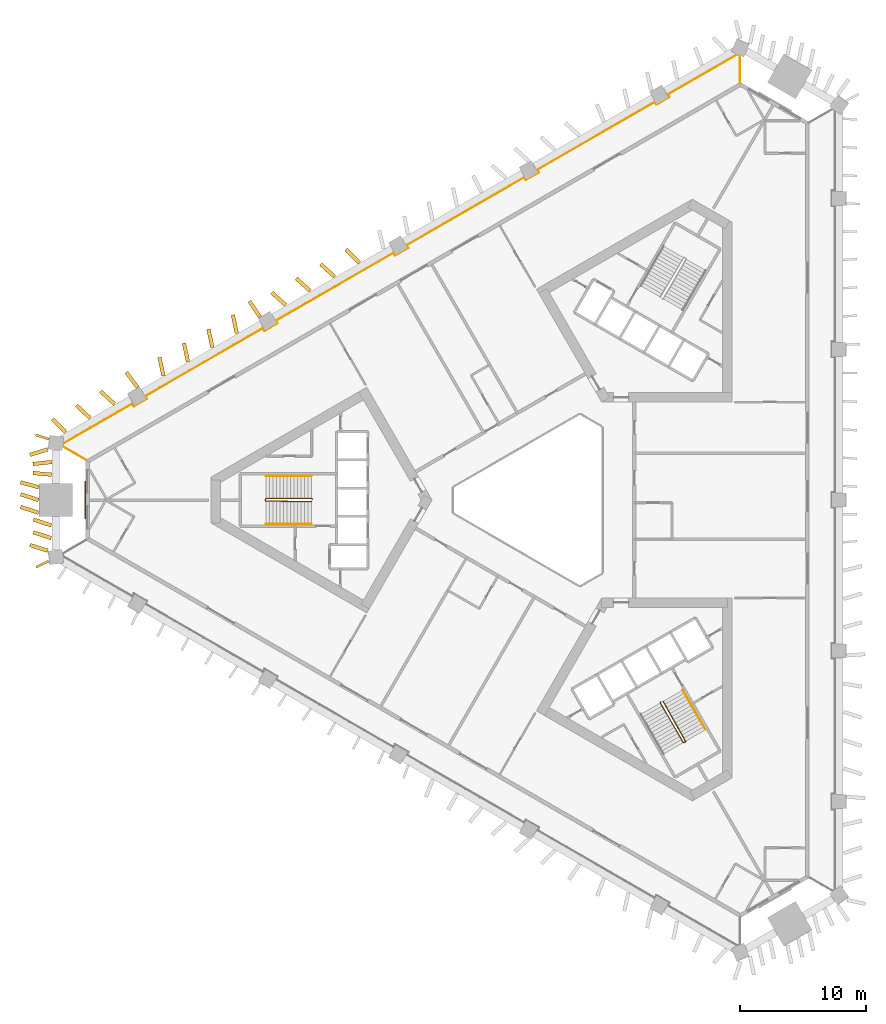
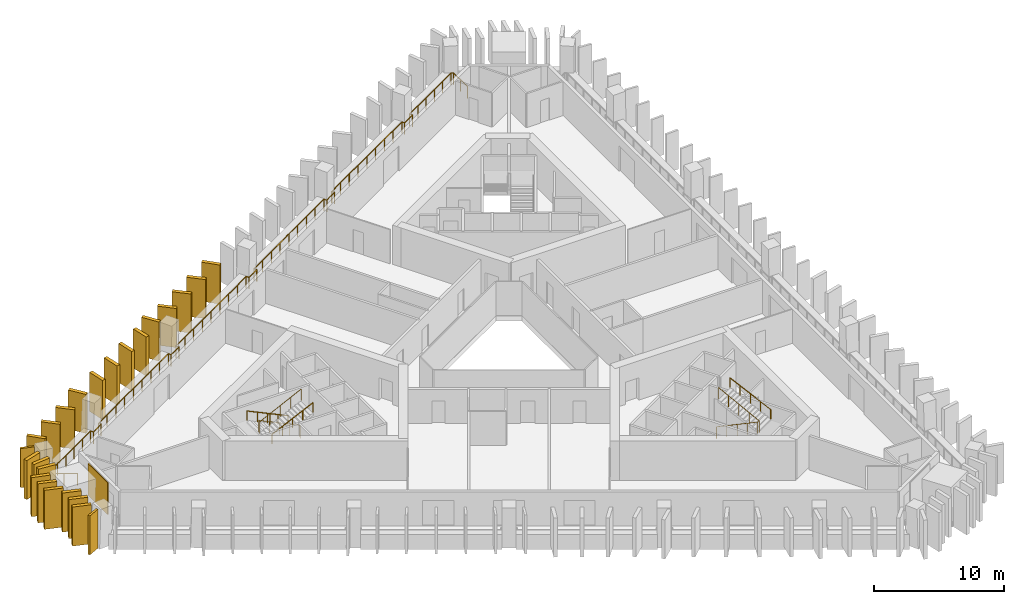
# One storey, part 9 of 11: 24 shading devices, 6 railings, 1 covering.
"""IFC4 building model written with IfcOpenShell, lengths in metres."""

from ifc_helpers import new_model, si_unit, direction, frame, frame_2d, origin, origin_2d, place, context, subcontext, project, spatial, rectangle, circle, extrude, material, layer, layer_set, type_object, element, save


model = new_model("IFC4")

# Units and contexts
model_context = context("Model", 3, precision=1e-05, world=origin(), true_north=direction((0.0, 1.0)))
body_context = subcontext(model_context, "Body", "Model", "MODEL_VIEW")
ifc_project = project(units=[si_unit("LENGTHUNIT", "METRE"), si_unit("AREAUNIT", "SQUARE_METRE"), si_unit("VOLUMEUNIT", "CUBIC_METRE"), si_unit("PLANEANGLEUNIT", "RADIAN"), si_unit("MASSUNIT", "GRAM", prefix="KILO")], contexts=[model_context])

# Site, building, storey
site_placement = place(None, origin())
site = spatial("IfcSite", under=ifc_project, at=site_placement, CompositionType="ELEMENT")
building_placement = place(site_placement, origin())
building = spatial("IfcBuilding", under=site, at=building_placement, Name="Jabali Bay Hotel Tower and Convention Centre", CompositionType="ELEMENT")
storey_placement = place(building_placement, frame((0.0, 0.0, 61.0)))
storey = spatial("IfcBuildingStorey", under=building, at=storey_placement, Name="L13", CompositionType="ELEMENT", Elevation=61.0)

# Railing
ifc_material_1 = material(Name="Glass", Category="glass")
railing_type_1 = type_object("IfcRailingType", Name="Loggia glass guard 1100", PredefinedType="BALUSTRADE", material=ifc_material_1)
railing_1_placement = place(storey_placement, frame((38.421142578125, 83.215576171875, 0.0)))
element("IfcRailing", 1, at=railing_1_placement, inside=storey, type_object=railing_type_1, Name="Loggia glass guard L13", PredefinedType="BALUSTRADE", context=body_context, shape_type="SweptSolid", body=[
    extrude(circle(Radius=0.02490234375, at=origin_2d()), frame((0.0, 0.0, 1.0751953125), z_axis=(-0.866027613664, 0.499996172356, 0.0), x_axis=(-0.495718635789, -0.858618627375, 0.13052619222)), (0.0, 0.0, 1.0), 2.1103515625),
    extrude(circle(Radius=0.02490234375, at=origin_2d()), frame((-1.82763671875, 1.05517578125, 1.0751953125), z_axis=(0.115918072513, 0.993258778197, 0.0), x_axis=(-0.984761311658, 0.114926377333, 0.13052619222)), (0.0, 0.0, 1.0), 0.21484375),
    extrude(circle(Radius=0.02490234375, at=origin_2d()), frame((-1.802734375, 1.2685546875, 1.0751953125), z_axis=(0.866027511822, 0.499996348755, 0.0), x_axis=(-0.495718810679, 0.858618526404, 0.13052619222)), (0.0, 0.0, 1.0), 6.37841796875),
    extrude(circle(Radius=0.02490234375, at=origin_2d()), frame((3.72119140625, 4.457763671875, 1.0751953125), z_axis=(0.499919672301, -0.866071776036, 0.0), x_axis=(0.858662411932, 0.495642790202, 0.13052619222)), (0.0, 0.0, 1.0), 0.25),
    extrude(circle(Radius=0.02490234375, at=origin_2d()), frame((3.84619140625, 4.2412109375, 1.0751953125), z_axis=(0.866006032174, 0.500033551112, 0.0), x_axis=(-0.495755694765, 0.858597230518, 0.13052619222)), (0.0, 0.0, 1.0), 1.2001953125),
    extrude(circle(Radius=0.02490234375, at=origin_2d()), frame((4.885498046875, 4.84130859375, 1.0751953125), z_axis=(-0.499919672301, 0.866071776036, 0.0), x_axis=(-0.858662411932, -0.495642790202, 0.13052619222)), (0.0, 0.0, 1.0), 0.25),
    extrude(circle(Radius=0.02490234375, at=origin_2d()), frame((4.760498046875, 5.057861328125, 1.0751953125), z_axis=(0.86602874244, 0.499994217234, 0.0), x_axis=(-0.495716697393, 0.858619746494, 0.13052619222)), (0.0, 0.0, 1.0), 10.809326171875),
    extrude(circle(Radius=0.02490234375, at=origin_2d()), frame((14.12158203125, 10.46240234375, 1.0751953125), z_axis=(0.500342721131, -0.865827443207, 0.0), x_axis=(0.858420169404, 0.496062219791, 0.13052619222)), (0.0, 0.0, 1.0), 0.249755859375),
    extrude(circle(Radius=0.02490234375, at=origin_2d()), frame((14.24658203125, 10.24609375, 1.0751953125), z_axis=(0.866094119867, 0.499880961361, 0.0), x_axis=(-0.49560441044, 0.858684564609, 0.13052619222)), (0.0, 0.0, 1.0), 1.199951171875),
    extrude(circle(Radius=0.02490234375, at=origin_2d()), frame((15.285888671875, 10.845947265625, 1.0751953125), z_axis=(-0.499919672301, 0.866071776036, 0.0), x_axis=(-0.858662411932, -0.495642790202, 0.13052619222)), (0.0, 0.0, 1.0), 0.25),
    extrude(circle(Radius=0.02490234375, at=origin_2d()), frame((15.160888671875, 11.0625, 1.0751953125), z_axis=(0.866024608893, 0.500001376791, 0.0), x_axis=(-0.495723795699, 0.85861564831, 0.13052619222)), (0.0, 0.0, 1.0), 10.8095703125),
    extrude(circle(Radius=0.02490234375, at=origin_2d()), frame((24.522216796875, 16.46728515625, 1.0751953125), z_axis=(0.499919672301, -0.866071776036, 0.0), x_axis=(0.858662411932, 0.495642790202, 0.13052619222)), (0.0, 0.0, 1.0), 0.25),
    extrude(circle(Radius=0.02490234375, at=origin_2d()), frame((24.647216796875, 16.250732421875, 1.0751953125), z_axis=(0.866006032174, 0.500033551112, 0.0), x_axis=(-0.495755694765, 0.858597230518, 0.13052619222)), (0.0, 0.0, 1.0), 1.2001953125),
    extrude(circle(Radius=0.02490234375, at=origin_2d()), frame((25.6865234375, 16.850830078125, 1.0751953125), z_axis=(-0.500342721131, 0.865827443207, 0.0), x_axis=(-0.858420169404, -0.496062219791, 0.13052619222)), (0.0, 0.0, 1.0), 0.249755859375),
    extrude(circle(Radius=0.02490234375, at=origin_2d()), frame((25.5615234375, 17.067138671875, 1.0751953125), z_axis=(0.86601896228, 0.500011156846, 0.0), x_axis=(-0.495733492085, 0.858610050005, 0.13052619222)), (0.0, 0.0, 1.0), 10.809326171875),
    extrude(circle(Radius=0.02490234375, at=origin_2d()), frame((34.922607421875, 22.471923828125, 1.0751953125), z_axis=(0.499919672301, -0.866071776036, 0.0), x_axis=(0.858662411932, 0.495642790202, 0.13052619222)), (0.0, 0.0, 1.0), 0.25),
    extrude(circle(Radius=0.02490234375, at=origin_2d()), frame((35.047607421875, 22.25537109375, 1.0751953125), z_axis=(0.866006032174, 0.500033551112, 0.0), x_axis=(-0.495755694765, 0.858597230518, 0.13052619222)), (0.0, 0.0, 1.0), 1.2001953125),
    extrude(circle(Radius=0.02490234375, at=origin_2d()), frame((36.0869140625, 22.85546875, 1.0751953125), z_axis=(-0.499919672301, 0.866071776036, 0.0), x_axis=(-0.858662411932, -0.495642790202, 0.13052619222)), (0.0, 0.0, 1.0), 0.25),
    extrude(circle(Radius=0.02490234375, at=origin_2d()), frame((35.9619140625, 23.072021484375, 1.0751953125), z_axis=(0.866034388734, 0.499984437289, 0.0), x_axis=(-0.495707001117, 0.858625344483, 0.13052619222)), (0.0, 0.0, 1.0), 10.809326171875),
    extrude(circle(Radius=0.02490234375, at=origin_2d()), frame((45.3232421875, 28.4765625, 1.0751953125), z_axis=(0.500342721131, -0.865827443207, 0.0), x_axis=(0.858420169404, 0.496062219791, 0.13052619222)), (0.0, 0.0, 1.0), 0.249755859375),
    extrude(circle(Radius=0.02490234375, at=origin_2d()), frame((45.4482421875, 28.26025390625, 1.0751953125), z_axis=(0.866043267704, 0.499969057507, 0.0), x_axis=(-0.495691752911, 0.858634147493, 0.13052619222)), (0.0, 0.0, 1.0), 1.19970703125),
    extrude(circle(Radius=0.02490234375, at=origin_2d()), frame((46.4873046875, 28.860107421875, 1.0751953125), z_axis=(-0.499919672301, 0.866071776036, 0.0), x_axis=(-0.858662411932, -0.495642790202, 0.13052619222)), (0.0, 0.0, 1.0), 0.25),
    extrude(circle(Radius=0.02490234375, at=origin_2d()), frame((46.3623046875, 29.07666015625, 1.0751953125), z_axis=(0.866037080148, 0.4999797754, 0.0), x_axis=(-0.495702379111, 0.858628012872, 0.13052619222)), (0.0, 0.0, 1.0), 6.378662109375),
    extrude(circle(Radius=0.02490234375, at=origin_2d()), frame((51.886474609375, 32.265869140625, 1.0751953125), z_axis=(0.918259892691, -0.395978243688, 0.0), x_axis=(0.392590594921, 0.910404052014, 0.13052619222)), (0.0, 0.0, 1.0), 0.214599609375),
    extrude(circle(Radius=0.02490234375, at=origin_2d()), frame((52.08349609375, 32.180908203125, 1.0751953125), z_axis=(0.0, -1.0, 0.0), x_axis=(0.991444861374, 0.0, 0.13052619222)), (0.0, 0.0, 1.0), 2.110595703125),
    extrude(circle(Radius=0.02001953125, at=origin_2d()), origin(), (0.0, 0.0, 1.0), 1.050048828125),
    extrude(circle(Radius=0.02001953125, at=origin_2d()), frame((-0.913818359375, 0.527587890625, 0.0)), (0.0, 0.0, 1.0), 1.050048828125),
    extrude(circle(Radius=0.02001953125, at=origin_2d()), frame((-1.82763671875, 1.05517578125, 0.0)), (0.0, 0.0, 1.0), 1.050048828125),
    extrude(circle(Radius=0.02001953125, at=origin_2d()), frame((-1.802734375, 1.2685546875, 0.0)), (0.0, 0.0, 1.0), 1.050048828125),
    extrude(circle(Radius=0.02001953125, at=origin_2d()), frame((-0.697998046875, 1.906494140625, 0.0)), (0.0, 0.0, 1.0), 1.050048828125),
    extrude(circle(Radius=0.02001953125, at=origin_2d()), frame((0.40673828125, 2.544189453125, 0.0)), (0.0, 0.0, 1.0), 1.050048828125),
    extrude(circle(Radius=0.02001953125, at=origin_2d()), frame((1.51171875, 3.18212890625, 0.0)), (0.0, 0.0, 1.0), 1.050048828125),
    extrude(circle(Radius=0.02001953125, at=origin_2d()), frame((2.616455078125, 3.81982421875, 0.0)), (0.0, 0.0, 1.0), 1.050048828125),
    extrude(circle(Radius=0.02001953125, at=origin_2d()), frame((3.72119140625, 4.457763671875, 0.0)), (0.0, 0.0, 1.0), 1.050048828125),
    extrude(circle(Radius=0.02001953125, at=origin_2d()), frame((3.84619140625, 4.2412109375, 0.0)), (0.0, 0.0, 1.0), 1.050048828125),
    extrude(circle(Radius=0.02001953125, at=origin_2d()), frame((4.885498046875, 4.84130859375, 0.0)), (0.0, 0.0, 1.0), 1.050048828125),
    extrude(circle(Radius=0.02001953125, at=origin_2d()), frame((4.760498046875, 5.057861328125, 0.0)), (0.0, 0.0, 1.0), 1.050048828125),
    extrude(circle(Radius=0.02001953125, at=origin_2d()), frame((5.9306640625, 5.7333984375, 0.0)), (0.0, 0.0, 1.0), 1.050048828125),
    extrude(circle(Radius=0.02001953125, at=origin_2d()), frame((7.100830078125, 6.408935546875, 0.0)), (0.0, 0.0, 1.0), 1.050048828125),
    extrude(circle(Radius=0.02001953125, at=origin_2d()), frame((8.27099609375, 7.08447265625, 0.0)), (0.0, 0.0, 1.0), 1.050048828125),
    extrude(circle(Radius=0.02001953125, at=origin_2d()), frame((9.44091796875, 7.76025390625, 0.0)), (0.0, 0.0, 1.0), 1.050048828125),
    extrude(circle(Radius=0.02001953125, at=origin_2d()), frame((10.611083984375, 8.435791015625, 0.0)), (0.0, 0.0, 1.0), 1.050048828125),
    extrude(circle(Radius=0.02001953125, at=origin_2d()), frame((11.78125, 9.111328125, 0.0)), (0.0, 0.0, 1.0), 1.050048828125),
    extrude(circle(Radius=0.02001953125, at=origin_2d()), frame((12.951416015625, 9.786865234375, 0.0)), (0.0, 0.0, 1.0), 1.050048828125),
    extrude(circle(Radius=0.02001953125, at=origin_2d()), frame((14.12158203125, 10.46240234375, 0.0)), (0.0, 0.0, 1.0), 1.050048828125),
    extrude(circle(Radius=0.02001953125, at=origin_2d()), frame((14.24658203125, 10.24609375, 0.0)), (0.0, 0.0, 1.0), 1.050048828125),
    extrude(circle(Radius=0.02001953125, at=origin_2d()), frame((15.285888671875, 10.845947265625, 0.0)), (0.0, 0.0, 1.0), 1.050048828125),
    extrude(circle(Radius=0.02001953125, at=origin_2d()), frame((15.160888671875, 11.0625, 0.0)), (0.0, 0.0, 1.0), 1.050048828125),
    extrude(circle(Radius=0.02001953125, at=origin_2d()), frame((16.3310546875, 11.738037109375, 0.0)), (0.0, 0.0, 1.0), 1.050048828125),
    extrude(circle(Radius=0.02001953125, at=origin_2d()), frame((17.501220703125, 12.41357421875, 0.0)), (0.0, 0.0, 1.0), 1.050048828125),
    extrude(circle(Radius=0.02001953125, at=origin_2d()), frame((18.67138671875, 13.08935546875, 0.0)), (0.0, 0.0, 1.0), 1.050048828125),
    extrude(circle(Radius=0.02001953125, at=origin_2d()), frame((19.841552734375, 13.764892578125, 0.0)), (0.0, 0.0, 1.0), 1.050048828125),
    extrude(circle(Radius=0.02001953125, at=origin_2d()), frame((21.01171875, 14.4404296875, 0.0)), (0.0, 0.0, 1.0), 1.050048828125),
    extrude(circle(Radius=0.02001953125, at=origin_2d()), frame((22.181884765625, 15.1162109375, 0.0)), (0.0, 0.0, 1.0), 1.050048828125),
    extrude(circle(Radius=0.02001953125, at=origin_2d()), frame((23.35205078125, 15.791748046875, 0.0)), (0.0, 0.0, 1.0), 1.050048828125),
    extrude(circle(Radius=0.02001953125, at=origin_2d()), frame((24.522216796875, 16.46728515625, 0.0)), (0.0, 0.0, 1.0), 1.050048828125),
    extrude(circle(Radius=0.02001953125, at=origin_2d()), frame((24.647216796875, 16.250732421875, 0.0)), (0.0, 0.0, 1.0), 1.050048828125),
    extrude(circle(Radius=0.02001953125, at=origin_2d()), frame((25.6865234375, 16.850830078125, 0.0)), (0.0, 0.0, 1.0), 1.050048828125),
    extrude(circle(Radius=0.02001953125, at=origin_2d()), frame((25.5615234375, 17.067138671875, 0.0)), (0.0, 0.0, 1.0), 1.050048828125),
    extrude(circle(Radius=0.02001953125, at=origin_2d()), frame((26.731689453125, 17.74267578125, 0.0)), (0.0, 0.0, 1.0), 1.050048828125),
    extrude(circle(Radius=0.02001953125, at=origin_2d()), frame((27.90185546875, 18.41845703125, 0.0)), (0.0, 0.0, 1.0), 1.050048828125),
    extrude(circle(Radius=0.02001953125, at=origin_2d()), frame((29.072021484375, 19.093994140625, 0.0)), (0.0, 0.0, 1.0), 1.050048828125),
    extrude(circle(Radius=0.02001953125, at=origin_2d()), frame((30.2421875, 19.76953125, 0.0)), (0.0, 0.0, 1.0), 1.050048828125),
    extrude(circle(Radius=0.02001953125, at=origin_2d()), frame((31.412109375, 20.445068359375, 0.0)), (0.0, 0.0, 1.0), 1.050048828125),
    extrude(circle(Radius=0.02001953125, at=origin_2d()), frame((32.582275390625, 21.12060546875, 0.0)), (0.0, 0.0, 1.0), 1.050048828125),
    extrude(circle(Radius=0.02001953125, at=origin_2d()), frame((33.75244140625, 21.79638671875, 0.0)), (0.0, 0.0, 1.0), 1.050048828125),
    extrude(circle(Radius=0.02001953125, at=origin_2d()), frame((34.922607421875, 22.471923828125, 0.0)), (0.0, 0.0, 1.0), 1.050048828125),
    extrude(circle(Radius=0.02001953125, at=origin_2d()), frame((35.047607421875, 22.25537109375, 0.0)), (0.0, 0.0, 1.0), 1.050048828125),
    extrude(circle(Radius=0.02001953125, at=origin_2d()), frame((36.0869140625, 22.85546875, 0.0)), (0.0, 0.0, 1.0), 1.050048828125),
    extrude(circle(Radius=0.02001953125, at=origin_2d()), frame((35.9619140625, 23.072021484375, 0.0)), (0.0, 0.0, 1.0), 1.050048828125),
    extrude(circle(Radius=0.02001953125, at=origin_2d()), frame((37.132080078125, 23.74755859375, 0.0)), (0.0, 0.0, 1.0), 1.050048828125),
    extrude(circle(Radius=0.02001953125, at=origin_2d()), frame((38.30224609375, 24.423095703125, 0.0)), (0.0, 0.0, 1.0), 1.050048828125),
    extrude(circle(Radius=0.02001953125, at=origin_2d()), frame((39.472412109375, 25.0986328125, 0.0)), (0.0, 0.0, 1.0), 1.050048828125),
    extrude(circle(Radius=0.02001953125, at=origin_2d()), frame((40.642578125, 25.7744140625, 0.0)), (0.0, 0.0, 1.0), 1.050048828125),
    extrude(circle(Radius=0.02001953125, at=origin_2d()), frame((41.812744140625, 26.449951171875, 0.0)), (0.0, 0.0, 1.0), 1.050048828125),
    extrude(circle(Radius=0.02001953125, at=origin_2d()), frame((42.98291015625, 27.12548828125, 0.0)), (0.0, 0.0, 1.0), 1.050048828125),
    extrude(circle(Radius=0.02001953125, at=origin_2d()), frame((44.153076171875, 27.801025390625, 0.0)), (0.0, 0.0, 1.0), 1.050048828125),
    extrude(circle(Radius=0.02001953125, at=origin_2d()), frame((45.3232421875, 28.4765625, 0.0)), (0.0, 0.0, 1.0), 1.050048828125),
    extrude(circle(Radius=0.02001953125, at=origin_2d()), frame((45.4482421875, 28.26025390625, 0.0)), (0.0, 0.0, 1.0), 1.050048828125),
    extrude(circle(Radius=0.02001953125, at=origin_2d()), frame((46.4873046875, 28.860107421875, 0.0)), (0.0, 0.0, 1.0), 1.050048828125),
    extrude(circle(Radius=0.02001953125, at=origin_2d()), frame((46.3623046875, 29.07666015625, 0.0)), (0.0, 0.0, 1.0), 1.050048828125),
    extrude(circle(Radius=0.02001953125, at=origin_2d()), frame((47.467041015625, 29.714599609375, 0.0)), (0.0, 0.0, 1.0), 1.050048828125),
    extrude(circle(Radius=0.02001953125, at=origin_2d()), frame((48.572021484375, 30.352294921875, 0.0)), (0.0, 0.0, 1.0), 1.050048828125),
    extrude(circle(Radius=0.02001953125, at=origin_2d()), frame((49.6767578125, 30.990234375, 0.0)), (0.0, 0.0, 1.0), 1.050048828125),
    extrude(circle(Radius=0.02001953125, at=origin_2d()), frame((50.78173828125, 31.6279296875, 0.0)), (0.0, 0.0, 1.0), 1.050048828125),
    extrude(circle(Radius=0.02001953125, at=origin_2d()), frame((51.886474609375, 32.265869140625, 0.0)), (0.0, 0.0, 1.0), 1.050048828125),
    extrude(circle(Radius=0.02001953125, at=origin_2d()), frame((52.08349609375, 32.180908203125, 0.0)), (0.0, 0.0, 1.0), 1.050048828125),
    extrude(circle(Radius=0.02001953125, at=origin_2d()), frame((52.08349609375, 31.12548828125, 0.0)), (0.0, 0.0, 1.0), 1.050048828125),
    extrude(circle(Radius=0.02001953125, at=origin_2d()), frame((52.08349609375, 30.0703125, 0.0)), (0.0, 0.0, 1.0), 1.050048828125),
])

# Shading devices
ifc_material_2 = material(Name="Precast concrete C60", Category="concrete")
ifc_layer_1 = layer(ifc_material_2, 0.179931640625)
ifc_layer_set_1 = layer_set([ifc_layer_1], Name="Precast concrete C60")
shading_device_type_1 = type_object("IfcShadingDeviceType", Name="Precast fin 3680 x 1100", PredefinedType="USERDEFINED", material=ifc_layer_set_1)
shading_device_1_placement = place(storey_placement, frame((35.486572265625, 84.85205078125, 0.010009765625), z_axis=(0.0, 0.0, 1.0), x_axis=(-0.952730303743, 0.303817327236, 0.0)))
element("IfcShadingDevice", 2, at=shading_device_1_placement, inside=storey, type_object=shading_device_type_1, Name="Fin L13 114", ObjectType="FIN", PredefinedType="USERDEFINED", context=body_context, shape_type="SweptSolid", body=[
    extrude(rectangle(XDim=1.10009765625, YDim=0.179931640625, at=frame_2d((0.550048828125, 0.0))), origin(), (0.0, 0.0, 1.0), 3.679931640625),
])
shading_device_2_placement = place(storey_placement, frame((35.474365234375, 75.140869140625, 0.010009765625), z_axis=(0.0, 0.0, 1.0), x_axis=(-0.897600551411, -0.440809766346, 0.0)))
element("IfcShadingDevice", 3, at=shading_device_2_placement, inside=storey, type_object=shading_device_type_1, Name="Fin L13 115", ObjectType="FIN", PredefinedType="USERDEFINED", context=body_context, shape_type="SweptSolid", body=[
    extrude(rectangle(XDim=1.099853515625, YDim=0.179931640625, at=frame_2d((0.5498046875, 0.0))), origin(), (0.0, 0.0, 1.0), 3.679931640625),
])
ifc_layer_2 = layer(ifc_material_2, 0.300048828125)
ifc_layer_set_2 = layer_set([ifc_layer_2], Name="Precast concrete C60")
shading_device_type_2 = type_object("IfcShadingDeviceType", Name="Precast fin 3680 x 1500", PredefinedType="USERDEFINED", material=ifc_layer_set_2)
shading_device_3_placement = place(storey_placement, frame((60.20166015625, 98.884765625, 0.010009765625), z_axis=(0.0, 0.0, 1.0), x_axis=(-0.699579780072, 0.714554498491, 0.0)))
element("IfcShadingDevice", 4, at=shading_device_3_placement, inside=storey, type_object=shading_device_type_2, Name="Fin L13 052", ObjectType="FIN", PredefinedType="USERDEFINED", context=body_context, shape_type="SweptSolid", body=[
    extrude(rectangle(XDim=1.5, YDim=0.300048828125, at=frame_2d((0.75, 0.0))), origin(), (0.0, 0.0, 1.0), 3.679931640625),
])
shading_device_4_placement = place(storey_placement, frame((58.249755859375, 97.767822265625, 0.010009765625), z_axis=(0.0, 0.0, 1.0), x_axis=(-0.741616739041, 0.670823831101, 0.0)))
element("IfcShadingDevice", 5, at=shading_device_4_placement, inside=storey, type_object=shading_device_type_2, Name="Fin L13 053", ObjectType="FIN", PredefinedType="USERDEFINED", context=body_context, shape_type="SweptSolid", body=[
    extrude(rectangle(XDim=1.500244140625, YDim=0.300048828125, at=frame_2d((0.75, 0.0))), origin(), (0.0, 0.0, 1.0), 3.679931640625),
])
for number, where, z_axis, x_axis, name in (
    (6, (56.302001953125, 96.643310546875, 0.010009765625), (0.0, 0.0, 1.0), (-0.741543490988, 0.670904800231, 0.0), "Fin L13 054"),
    (7, (54.3544921875, 95.518798828125, 0.010009765625), (0.0, 0.0, 1.0), (-0.741543490988, 0.670904800231, 0.0), "Fin L13 055"),
    (8, (52.295654296875, 94.5869140625, 0.010009765625), (0.0, 0.0, 1.0), (-0.561218783199, 0.827667492043, 0.0), "Fin L13 056"),
    (9, (50.459228515625, 93.27001953125, 0.010009765625), (0.0, 0.0, 1.0), (-0.210273710971, 0.977642555577, 0.0), "Fin L13 057"),
    (10, (48.511474609375, 92.1455078125, 0.010009765625), (0.0, 0.0, 1.0), (-0.210273710971, 0.977642555577, 0.0), "Fin L13 058"),
):
    element("IfcShadingDevice", number, at=place(storey_placement, frame(where, z_axis=z_axis, x_axis=x_axis)), inside=storey, type_object=shading_device_type_2, Name=name, ObjectType="FIN", PredefinedType="USERDEFINED", context=body_context, shape_type="SweptSolid", body=[
        extrude(rectangle(XDim=1.5, YDim=0.300048828125, at=frame_2d((0.75, 0.0))), origin(), (0.0, 0.0, 1.0), 3.679931640625),
    ])
shading_device_5_placement = place(storey_placement, frame((46.56396484375, 91.02099609375, 0.010009765625), z_axis=(0.0, 0.0, 1.0), x_axis=(-0.210429257514, 0.977609087305, 0.0)))
element("IfcShadingDevice", 11, at=shading_device_5_placement, inside=storey, type_object=shading_device_type_2, Name="Fin L13 059", ObjectType="FIN", PredefinedType="USERDEFINED", context=body_context, shape_type="SweptSolid", body=[
    extrude(rectangle(XDim=1.500244140625, YDim=0.300048828125, at=frame_2d((0.75, 0.0))), origin(), (0.0, 0.0, 1.0), 3.679931640625),
])
for number, where, z_axis, x_axis, name in (
    (12, (44.6162109375, 89.896484375, 0.010009765625), (0.0, 0.0, 1.0), (-0.210618295232, 0.977568378025, 0.0), "Fin L13 060"),
    (13, (42.554443359375, 88.97021484375, 0.010009765625), (0.0, 0.0, 1.0), (-0.595694532571, 0.803211070557, 0.0), "Fin L13 061"),
    (14, (40.721435546875, 87.64697265625, 0.010009765625), (0.0, 0.0, 1.0), (-0.737356804145, 0.675503473996, 0.0), "Fin L13 062"),
    (15, (38.77490234375, 86.5205078125, 0.010009765625), (0.0, 0.0, 1.0), (-0.72699961212, 0.686637869607, 0.0), "Fin L13 063"),
    (16, (36.830322265625, 85.390869140625, 0.010009765625), (0.0, 0.0, 1.0), (-0.697768379802, 0.716323452183, 0.0), "Fin L13 064"),
    (17, (35.41845703125, 84.03857421875, 0.010009765625), (0.0, 0.0, 1.0), (-0.955068902945, -0.296383856895, 0.0), "Fin L13 065"),
    (18, (35.71826171875, 83.029052734375, 0.010009765625), (0.0, 0.0, 1.0), (-0.994160416894, -0.107912304584, 0.0), "Fin L13 066"),
    (19, (35.720947265625, 82.019287109375, 0.010009765625), (0.0, 0.0, 1.0), (-0.995955671948, 0.089845976616, 0.0), "Fin L13 067"),
):
    element("IfcShadingDevice", number, at=place(storey_placement, frame(where, z_axis=z_axis, x_axis=x_axis)), inside=storey, type_object=shading_device_type_2, Name=name, ObjectType="FIN", PredefinedType="USERDEFINED", context=body_context, shape_type="SweptSolid", body=[
        extrude(rectangle(XDim=1.5, YDim=0.300048828125, at=frame_2d((0.75, 0.0))), origin(), (0.0, 0.0, 1.0), 3.679931640625),
    ])
shading_device_6_placement = place(storey_placement, frame((34.68115234375, 81.009765625, 0.010009765625), z_axis=(0.0, 0.0, 1.0), x_axis=(-0.962385308205, 0.271688274593, 0.0)))
element("IfcShadingDevice", 20, at=shading_device_6_placement, inside=storey, type_object=shading_device_type_2, Name="Fin L13 068", ObjectType="FIN", PredefinedType="USERDEFINED", context=body_context, shape_type="SweptSolid", body=[
    extrude(rectangle(XDim=1.499755859375, YDim=0.300048828125, at=frame_2d((0.75, 0.0))), origin(), (0.0, 0.0, 1.0), 3.679931640625),
])
for number, where, z_axis, x_axis, name in (
    (21, (34.676025390625, 80.0, 0.010009765625), (0.0, 0.0, 1.0), (-0.951777621698, 0.30678878538, 0.0), "Fin L13 069"),
    (22, (34.676025390625, 78.990234375, 0.010009765625), (0.0, 0.0, 1.0), (-0.951777621698, 0.30678878538, 0.0), "Fin L13 070"),
    (23, (35.6884765625, 77.980712890625, 0.010009765625), (0.0, 0.0, 1.0), (-0.951777621698, 0.30678878538, 0.0), "Fin L13 071"),
    (24, (35.6884765625, 76.970947265625, 0.010009765625), (0.0, 0.0, 1.0), (-0.951777621698, 0.30678878538, 0.0), "Fin L13 072"),
    (25, (35.418701171875, 75.96142578125, 0.010009765625), (0.0, 0.0, 1.0), (-0.951777621698, 0.30678878538, 0.0), "Fin L13 073"),
):
    element("IfcShadingDevice", number, at=place(storey_placement, frame(where, z_axis=z_axis, x_axis=x_axis)), inside=storey, type_object=shading_device_type_2, Name=name, ObjectType="FIN", PredefinedType="USERDEFINED", context=body_context, shape_type="SweptSolid", body=[
        extrude(rectangle(XDim=1.5, YDim=0.300048828125, at=frame_2d((0.75, 0.0))), origin(), (0.0, 0.0, 1.0), 3.679931640625),
    ])

# Covering
ifc_material_3 = material(Name="Precast concrete C40/50", Category="concrete")
ifc_layer_3 = layer(ifc_material_3, 0.080078125)
ifc_layer_set_3 = layer_set([ifc_layer_3], Name="Precast concrete C40/50")
covering_type = type_object("IfcCoveringType", Name="Relief panel 3000 x 3000", PredefinedType="CLADDING", material=ifc_layer_set_3)
covering_placement = place(storey_placement, frame((38.381103515625, 80.0, 0.10009765625), z_axis=(0.0, 0.0, 1.0), x_axis=(0.0, 1.0, 0.0)))
element("IfcCovering", 26, at=covering_placement, inside=storey, type_object=covering_type, Name="Relief panel L13", PredefinedType="CLADDING", context=body_context, shape_type="SweptSolid", body=[
    extrude(rectangle(XDim=3.0, YDim=0.080078125, at=origin_2d()), origin(), (0.0, 0.0, 1.0), 3.0),
])

# Railings
ifc_material_4 = material(Name="Steel Q355B", Category="steel")
railing_type_2 = type_object("IfcRailingType", Name="Stair guard 1100", PredefinedType="GUARDRAIL", material=ifc_material_4)
railing_2_placement = place(storey_placement, frame((56.469970703125, 80.074951171875, 0.0)))
element("IfcRailing", 27, at=railing_2_placement, inside=storey, type_object=railing_type_2, Name="L13 ST1 stair guard 1", PredefinedType="GUARDRAIL", context=body_context, shape_type="SweptSolid", body=[
    extrude(circle(Radius=0.02392578125, at=origin_2d()), frame((0.0, 0.0, 1.076171875), z_axis=(-0.333993628408, 0.333993628408, 0.881417331555), x_axis=(-0.707106781187, -0.707106781187, 0.0)), (0.0, 0.0, 1.0), 0.14990234375),
    extrude(circle(Radius=0.02392578125, at=origin_2d()), frame((-0.050048828125, 0.050048828125, 1.2080078125), z_axis=(-0.904327350853, 0.0, 0.426839598092), x_axis=(0.0, -1.0, 0.0)), (0.0, 0.0, 1.0), 4.02490234375),
    extrude(circle(Radius=0.02392578125, at=origin_2d()), frame((-3.68994140625, 0.050048828125, 2.92626953125), z_axis=(-0.242814311512, -0.970072785993, 0.0), x_axis=(0.970072785993, -0.242814311512, 0.0)), (0.0, 0.0, 1.0), 0.2060546875),
    extrude(circle(Radius=0.02392578125, at=origin_2d()), frame((-3.739990234375, -0.14990234375, 2.92626953125), z_axis=(0.893887803671, -0.012124321804, 0.4481267625), x_axis=(0.013562335953, 0.999908027292, 0.0)), (0.0, 0.0, 1.0), 4.1279296875),
    extrude(circle(Radius=0.02099609375, at=origin_2d()), origin(), (0.0, 0.0, 1.0), 1.052001953125),
    extrude(circle(Radius=0.02099609375, at=origin_2d()), frame((-0.050048828125, 0.050048828125, 0.132080078125)), (0.0, 0.0, 1.0), 1.052001953125),
    extrude(circle(Radius=0.02099609375, at=origin_2d()), frame((-0.9599609375, 0.050048828125, 0.5615234375)), (0.0, 0.0, 1.0), 1.052001953125),
    extrude(circle(Radius=0.02099609375, at=origin_2d()), frame((-1.8701171875, 0.050048828125, 0.9912109375)), (0.0, 0.0, 1.0), 1.052001953125),
    extrude(circle(Radius=0.02099609375, at=origin_2d()), frame((-2.780029296875, 0.050048828125, 1.420654296875)), (0.0, 0.0, 1.0), 1.052001953125),
    extrude(circle(Radius=0.02099609375, at=origin_2d()), frame((-3.68994140625, 0.050048828125, 1.85009765625)), (0.0, 0.0, 1.0), 1.052001953125),
    extrude(circle(Radius=0.02099609375, at=origin_2d()), frame((-3.739990234375, -0.14990234375, 1.85009765625)), (0.0, 0.0, 1.0), 1.052001953125),
    extrude(circle(Radius=0.02099609375, at=origin_2d()), frame((-2.8173828125, -0.162353515625, 2.3125)), (0.0, 0.0, 1.0), 1.052001953125),
    extrude(circle(Radius=0.02099609375, at=origin_2d()), frame((-1.89501953125, -0.1748046875, 2.77490234375)), (0.0, 0.0, 1.0), 1.052001953125),
    extrude(circle(Radius=0.02099609375, at=origin_2d()), frame((-0.97265625, -0.1875, 3.237548828125)), (0.0, 0.0, 1.0), 1.052001953125),
    extrude(circle(Radius=0.02099609375, at=origin_2d()), frame((-0.050048828125, -0.199951171875, 3.699951171875)), (0.0, 0.0, 1.0), 1.052001953125),
])
railing_3_placement = place(storey_placement, frame((84.199951171875, 63.9150390625, 0.0)))
element("IfcRailing", 28, at=railing_3_placement, inside=storey, type_object=railing_type_2, Name="L13 ST3 stair guard 1", PredefinedType="GUARDRAIL", context=body_context, shape_type="SweptSolid", body=[
    extrude(circle(Radius=0.02392578125, at=origin_2d()), frame((0.0, 0.0, 1.076171875), z_axis=(-0.122196845461, -0.456201556387, 0.881446578591), x_axis=(0.965948051503, -0.258736085224, 0.0)), (0.0, 0.0, 1.0), 0.14990234375),
    extrude(circle(Radius=0.02392578125, at=origin_2d()), frame((-0.018310546875, -0.068359375, 1.2080078125), z_axis=(0.45217862506, -0.783169739339, 0.426825081763), x_axis=(0.866018046521, 0.500012742938, 0.0)), (0.0, 0.0, 1.0), 4.025146484375),
    extrude(circle(Radius=0.02392578125, at=origin_2d()), frame((1.8017578125, -3.220703125, 2.92626953125), z_axis=(0.96121063429, 0.275815366736, 0.0), x_axis=(-0.275815366736, 0.96121063429, 0.0)), (0.0, 0.0, 1.0), 0.206298828125),
    extrude(circle(Radius=0.02392578125, at=origin_2d()), frame((2.0, -3.163818359375, 2.92626953125), z_axis=(-0.436481798955, 0.780166857725, 0.448133142368), x_axis=(-0.872702246529, -0.488252792008, 0.0)), (0.0, 0.0, 1.0), 4.1279296875),
    extrude(circle(Radius=0.02099609375, at=origin_2d()), origin(), (0.0, 0.0, 1.0), 1.052001953125),
    extrude(circle(Radius=0.02099609375, at=origin_2d()), frame((-0.018310546875, -0.068359375, 0.132080078125)), (0.0, 0.0, 1.0), 1.052001953125),
    extrude(circle(Radius=0.02099609375, at=origin_2d()), frame((0.436767578125, -0.8564453125, 0.5615234375)), (0.0, 0.0, 1.0), 1.052001953125),
    extrude(circle(Radius=0.02099609375, at=origin_2d()), frame((0.8916015625, -1.64453125, 0.9912109375)), (0.0, 0.0, 1.0), 1.052001953125),
    extrude(circle(Radius=0.02099609375, at=origin_2d()), frame((1.3466796875, -2.4326171875, 1.420654296875)), (0.0, 0.0, 1.0), 1.052001953125),
    extrude(circle(Radius=0.02099609375, at=origin_2d()), frame((1.8017578125, -3.220703125, 1.85009765625)), (0.0, 0.0, 1.0), 1.052001953125),
    extrude(circle(Radius=0.02099609375, at=origin_2d()), frame((2.0, -3.163818359375, 1.85009765625)), (0.0, 0.0, 1.0), 1.052001953125),
    extrude(circle(Radius=0.02099609375, at=origin_2d()), frame((1.549560546875, -2.358642578125, 2.3125)), (0.0, 0.0, 1.0), 1.052001953125),
    extrude(circle(Radius=0.02099609375, at=origin_2d()), frame((1.09912109375, -1.5537109375, 2.77490234375)), (0.0, 0.0, 1.0), 1.052001953125),
    extrude(circle(Radius=0.02099609375, at=origin_2d()), frame((0.648681640625, -0.74853515625, 3.237548828125)), (0.0, 0.0, 1.0), 1.052001953125),
    extrude(circle(Radius=0.02099609375, at=origin_2d()), frame((0.1982421875, 0.056640625, 3.699951171875)), (0.0, 0.0, 1.0), 1.052001953125),
])
railing_type_3 = type_object("IfcRailingType", Name="Stair handrail 900", PredefinedType="HANDRAIL", material=ifc_material_4)
railing_4_placement = place(storey_placement, frame((56.419921875, 81.925048828125, 0.132080078125)))
element("IfcRailing", 29, at=railing_4_placement, inside=storey, type_object=railing_type_3, Name="L13 ST1 stair handrail 1", PredefinedType="HANDRAIL", context=body_context, shape_type="SweptSolid", body=[
    extrude(circle(Radius=0.02392578125, at=origin_2d()), frame((0.0, 0.0, 0.8759765625), z_axis=(-0.904327350853, 0.0, 0.426839598092), x_axis=(0.0, -1.0, 0.0)), (0.0, 0.0, 1.0), 4.02490234375),
    extrude(circle(Radius=0.02099609375, at=origin_2d()), origin(), (0.0, 0.0, 1.0), 0.851806640625),
    extrude(circle(Radius=0.02099609375, at=origin_2d()), frame((-0.909912109375, 0.0, 0.429443359375)), (0.0, 0.0, 1.0), 0.851806640625),
    extrude(circle(Radius=0.02099609375, at=origin_2d()), frame((-1.81982421875, 0.0, 0.85888671875)), (0.0, 0.0, 1.0), 0.851806640625),
    extrude(circle(Radius=0.02099609375, at=origin_2d()), frame((-2.72998046875, 0.0, 1.28857421875)), (0.0, 0.0, 1.0), 0.851806640625),
    extrude(circle(Radius=0.02099609375, at=origin_2d()), frame((-3.639892578125, 0.0, 1.718017578125)), (0.0, 0.0, 1.0), 0.851806640625),
])
railing_5_placement = place(storey_placement, frame((52.780029296875, 78.074951171875, 1.982177734375)))
element("IfcRailing", 30, at=railing_5_placement, inside=storey, type_object=railing_type_3, Name="L13 ST1 stair handrail 2", PredefinedType="HANDRAIL", context=body_context, shape_type="SweptSolid", body=[
    extrude(circle(Radius=0.02392578125, at=origin_2d()), frame((0.0, 0.0, 0.8759765625), z_axis=(0.904350763662, 0.0, 0.426789990819), x_axis=(0.0, 1.0, 0.0)), (0.0, 0.0, 1.0), 4.02490234375),
    extrude(circle(Radius=0.02099609375, at=origin_2d()), origin(), (0.0, 0.0, 1.0), 0.851806640625),
    extrude(circle(Radius=0.02099609375, at=origin_2d()), frame((0.909912109375, 0.0, 0.429443359375)), (0.0, 0.0, 1.0), 0.851806640625),
    extrude(circle(Radius=0.02099609375, at=origin_2d()), frame((1.81982421875, 0.0, 0.85888671875)), (0.0, 0.0, 1.0), 0.851806640625),
    extrude(circle(Radius=0.02099609375, at=origin_2d()), frame((2.72998046875, 0.0, 1.288330078125)), (0.0, 0.0, 1.0), 0.851806640625),
    extrude(circle(Radius=0.02099609375, at=origin_2d()), frame((3.639892578125, 0.0, 1.7177734375)), (0.0, 0.0, 1.0), 0.851806640625),
])
railing_6_placement = place(storey_placement, frame((87.777099609375, 61.719482421875, 1.982177734375)))
element("IfcRailing", 31, at=railing_6_placement, inside=storey, type_object=railing_type_3, Name="L13 ST3 stair handrail 2", PredefinedType="HANDRAIL", context=body_context, shape_type="SweptSolid", body=[
    extrude(circle(Radius=0.02392578125, at=origin_2d()), frame((0.0, 0.0, 0.8759765625), z_axis=(-0.452190331055, 0.783190014029, 0.426775475427), x_axis=(-0.866018046521, -0.500012742938, 0.0)), (0.0, 0.0, 1.0), 4.02490234375),
    extrude(circle(Radius=0.02099609375, at=origin_2d()), origin(), (0.0, 0.0, 1.0), 0.851806640625),
    extrude(circle(Radius=0.02099609375, at=origin_2d()), frame((-0.455078125, 0.7880859375, 0.429443359375)), (0.0, 0.0, 1.0), 0.851806640625),
    extrude(circle(Radius=0.02099609375, at=origin_2d()), frame((-0.91015625, 1.576171875, 0.85888671875)), (0.0, 0.0, 1.0), 0.851806640625),
    extrude(circle(Radius=0.02099609375, at=origin_2d()), frame((-1.364990234375, 2.3642578125, 1.288330078125)), (0.0, 0.0, 1.0), 0.851806640625),
    extrude(circle(Radius=0.02099609375, at=origin_2d()), frame((-1.820068359375, 3.15234375, 1.7177734375)), (0.0, 0.0, 1.0), 0.851806640625),
])

save(model, "model.ifc")
